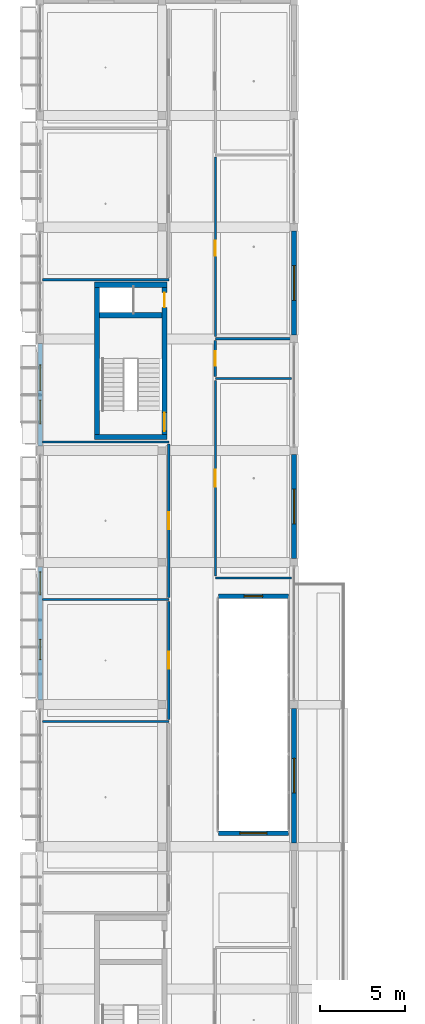
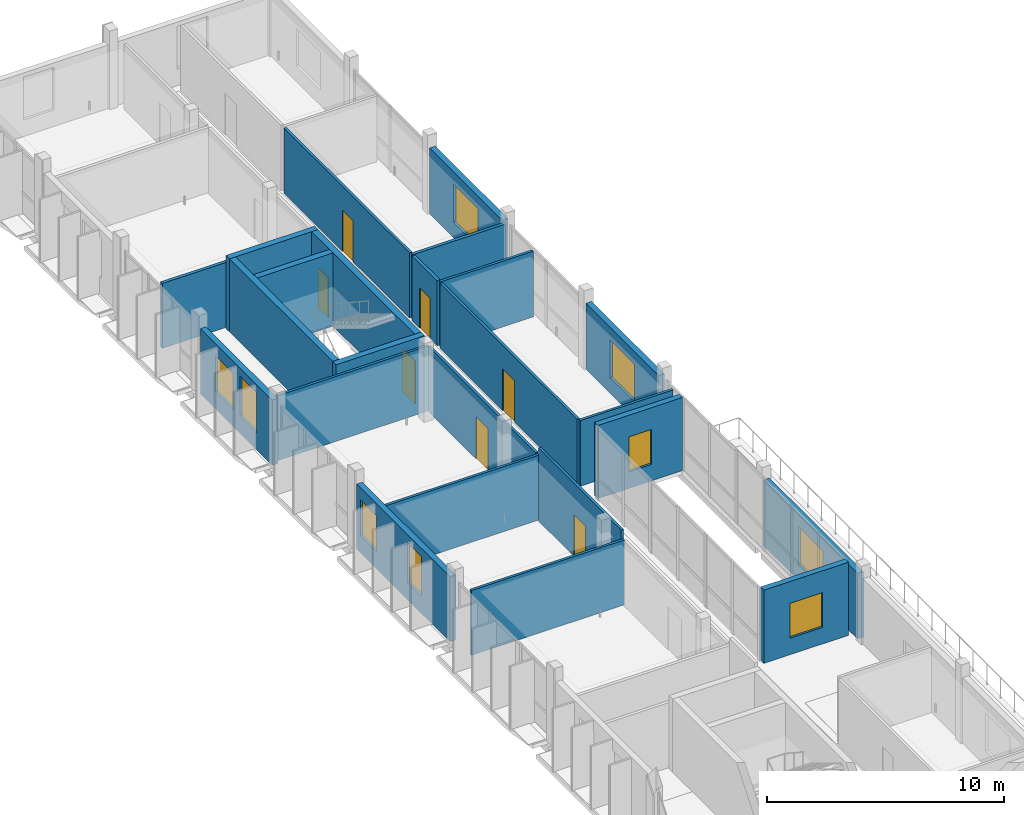
# One storey, part 24 of 48: 24 walls, 9 windows, 7 doors, 16 openings.
"""IFC4 building model written with IfcOpenShell, lengths in metres."""

from ifc_helpers import new_model, si_unit, derived_unit, direction, frame, frame_2d, origin, origin_with_axes, place, context, subcontext, project, spatial, rectangle, extrude, material, layer, layer_set, type_object, element, fill, save


model = new_model("IFC4")

# Units and contexts
model_context = context("Model", 3, precision=1e-05, world=origin(), true_north=direction((0.0, 1.0)))
body_context = subcontext(model_context, "Body", "Model", "MODEL_VIEW")
ifc_project = project(units=[si_unit("LENGTHUNIT", "METRE"), si_unit("AREAUNIT", "SQUARE_METRE"), si_unit("VOLUMEUNIT", "CUBIC_METRE"), si_unit("PLANEANGLEUNIT", "RADIAN"), si_unit("MASSUNIT", "GRAM", prefix="KILO"), derived_unit("THERMALTRANSMITTANCEUNIT", [(si_unit("POWERUNIT", "WATT"), 1), (si_unit("LENGTHUNIT", "METRE"), -2), (si_unit("THERMODYNAMICTEMPERATUREUNIT", "KELVIN"), -1)])], contexts=[model_context])

# Site, building, storey
site_placement = place(None, origin())
site = spatial("IfcSite", under=ifc_project, at=site_placement, CompositionType="ELEMENT")
building_placement = place(site_placement, origin())
building = spatial("IfcBuilding", under=site, at=building_placement, Name="Braskholm Square Health Centre", CompositionType="ELEMENT")
storey_placement = place(building_placement, frame((0.0, 0.0, 17.550048828125)))
storey = spatial("IfcBuildingStorey", under=building, at=storey_placement, Name="L05", CompositionType="ELEMENT", Elevation=17.550048828125)

# Wall
ifc_material_1 = material(Name="Acoustic gypsum board partition")
ifc_layer_1 = layer(ifc_material_1, 0.125)
ifc_layer_set_1 = layer_set([ifc_layer_1], Name="Acoustic gypsum board partition")
wall_type_1 = type_object("IfcWallType", Name="ClinicalExamPartition125", PredefinedType="PARTITIONING", material=ifc_layer_set_1)
wall_1_placement = place(storey_placement, frame((4.340087890625, 71.199951171875, 0.0), z_axis=(0.0, 0.0, 1.0), x_axis=(1.0, 0.0, 0.0)))
element("IfcWall", 1, at=wall_1_placement, inside=storey, type_object=wall_type_1, Name="Interior partition PWALL-L05-0218", PredefinedType="PARTITIONING", context=body_context, shape_type="SweptSolid", body=[
    extrude(rectangle(XDim=7.4599609375, YDim=0.125, at=frame_2d((3.72998046875, 0.0))), origin(), (0.0, 0.0, 1.0), 3.344970703125),
])

# Wall, opening, door
wall_2_placement = place(storey_placement, frame((11.800048828125, 71.320068359375, 0.0), z_axis=(0.0, 0.0, 1.0), x_axis=(0.0, 1.0, 0.0)))
wall_2 = element("IfcWall", 2, at=wall_2_placement, inside=storey, type_object=wall_type_1, Name="Interior partition PWALL-L05-0219", PredefinedType="PARTITIONING", context=body_context, shape_type="SweptSolid", body=[
    extrude(rectangle(XDim=6.969970703125, YDim=0.125, at=frame_2d((3.48486328125, 0.0))), origin(), (0.0, 0.0, 1.0), 3.764892578125),
])
opening_1_placement = place(wall_2_placement, frame((2.985107421875, 0.0, 0.0)))
opening_1 = element("IfcOpeningElement", 3, at=opening_1_placement, cuts=wall_2, Name="Opening D-02", PredefinedType="OPENING", context=body_context, shape_type="SweptSolid", body=[
    extrude(rectangle(XDim=1.0, YDim=2.14990234375, at=frame_2d((0.5, 1.074951171875))), frame((0.0, 0.072509765625, 0.0), z_axis=(0.0, -1.0, 0.0), x_axis=(1.0, 0.0, 0.0)), (0.0, 0.0, 1.0), 0.14501953125),
])
ifc_material_2 = material(Name="Architectural bronze anodised aluminium", Category="aluminium")
door_type_1 = type_object("IfcDoorType", Name="DoorExamSingle1000x2150", OperationType="NOTDEFINED", PredefinedType="DOOR", material=ifc_material_2)
door_1_placement = place(opening_1_placement, origin_with_axes())
door_1 = element("IfcDoor", 4, at=door_1_placement, inside=storey, type_object=door_type_1, Name="Interior door 0101 L05", OperationType="SINGLE_SWING_LEFT", OverallHeight=2.14990234375, OverallWidth=1.0, PredefinedType="DOOR", context=body_context, shape_type="SweptSolid", body=[
    extrude(rectangle(XDim=1.0, YDim=2.14990234375, at=frame_2d((0.5, 1.074951171875))), frame((0.0, 0.02490234375, 0.0), z_axis=(0.0, -1.0, 0.0), x_axis=(1.0, 0.0, 0.0)), (0.0, 0.0, 1.0), 0.050048828125),
])
fill(opening_1, door_1)

# Wall
wall_3_placement = place(storey_placement, frame((4.340087890625, 78.409912109375, 0.0), z_axis=(0.0, 0.0, 1.0), x_axis=(1.0, 0.0, 0.0)))
element("IfcWall", 5, at=wall_3_placement, inside=storey, type_object=wall_type_1, Name="Interior partition PWALL-L05-0220", PredefinedType="PARTITIONING", context=body_context, shape_type="SweptSolid", body=[
    extrude(rectangle(XDim=7.4599609375, YDim=0.125, at=frame_2d((3.72998046875, 0.0))), origin(), (0.0, 0.0, 1.0), 3.344970703125),
])

# Wall, opening, door
wall_4_placement = place(storey_placement, frame((11.800048828125, 78.530029296875, 0.0), z_axis=(0.0, 0.0, 1.0), x_axis=(0.0, 1.0, 0.0)))
wall_4 = element("IfcWall", 6, at=wall_4_placement, inside=storey, type_object=wall_type_1, Name="Interior partition PWALL-L05-0221", PredefinedType="PARTITIONING", context=body_context, shape_type="SweptSolid", body=[
    extrude(rectangle(XDim=9.050048828125, YDim=0.125, at=frame_2d((4.52490234375, 0.0))), origin(), (0.0, 0.0, 1.0), 3.364990234375),
])
opening_2_placement = place(wall_4_placement, frame((4.014892578125, 0.0, 0.0)))
opening_2 = element("IfcOpeningElement", 7, at=opening_2_placement, cuts=wall_4, Name="Opening D-25", PredefinedType="OPENING", context=body_context, shape_type="SweptSolid", body=[
    extrude(rectangle(XDim=1.02001953125, YDim=2.179931640625, at=frame_2d((0.510009765625, 1.08984375))), frame((0.0, 0.072509765625, 0.0), z_axis=(0.0, -1.0, 0.0), x_axis=(1.0, 0.0, 0.0)), (0.0, 0.0, 1.0), 0.14501953125),
])
door_type_2 = type_object("IfcDoorType", Name="DoorConsultWide1020x2180", OperationType="NOTDEFINED", PredefinedType="DOOR", material=ifc_material_2)
door_2_placement = place(opening_2_placement, origin_with_axes())
door_2 = element("IfcDoor", 8, at=door_2_placement, inside=storey, type_object=door_type_2, Name="Interior door 0102 L05", OperationType="SINGLE_SWING_RIGHT", OverallHeight=2.179931640625, OverallWidth=1.02001953125, PredefinedType="DOOR", context=body_context, shape_type="SweptSolid", body=[
    extrude(rectangle(XDim=1.02001953125, YDim=2.179931640625, at=frame_2d((0.510009765625, 1.08984375))), frame((0.0, 0.02490234375, 0.0), z_axis=(0.0, -1.0, 0.0), x_axis=(1.0, 0.0, 0.0)), (0.0, 0.0, 1.0), 0.050048828125),
])
fill(opening_2, door_2)

# Wall
wall_5_placement = place(storey_placement, frame((4.340087890625, 87.699951171875, 0.0), z_axis=(0.0, 0.0, 1.0), x_axis=(1.0, 0.0, 0.0)))
element("IfcWall", 9, at=wall_5_placement, inside=storey, type_object=wall_type_1, Name="Interior partition PWALL-L05-0222", PredefinedType="PARTITIONING", context=body_context, shape_type="SweptSolid", body=[
    extrude(rectangle(XDim=7.4599609375, YDim=0.125, at=frame_2d((3.72998046875, 0.0))), origin(), (0.0, 0.0, 1.0), 3.344970703125),
])

# Wall, opening, door
wall_6_placement = place(storey_placement, frame((14.550048828125, 79.800048828125, 0.0), z_axis=(0.0, 0.0, 1.0), x_axis=(0.0, 1.0, 0.0)))
wall_6 = element("IfcWall", 10, at=wall_6_placement, inside=storey, type_object=wall_type_1, Name="Interior partition PWALL-L05-0236", PredefinedType="PARTITIONING", context=body_context, shape_type="SweptSolid", body=[
    extrude(rectangle(XDim=11.550048828125, YDim=0.125, at=frame_2d((5.77490234375, 0.0))), origin(), (0.0, 0.0, 1.0), 3.364990234375),
])
opening_3_placement = place(wall_6_placement, frame((5.27490234375, 0.0, 0.0)))
opening_3 = element("IfcOpeningElement", 11, at=opening_3_placement, cuts=wall_6, Name="Opening D-02", PredefinedType="OPENING", context=body_context, shape_type="SweptSolid", body=[
    extrude(rectangle(XDim=1.0, YDim=2.14990234375, at=frame_2d((0.5, 1.074951171875))), frame((0.0, 0.072509765625, 0.0), z_axis=(0.0, -1.0, 0.0), x_axis=(1.0, 0.0, 0.0)), (0.0, 0.0, 1.0), 0.14501953125),
])
door_3_placement = place(opening_3_placement, frame((1.0, 0.0, 0.0), z_axis=(0.0, 0.0, 1.0), x_axis=(-1.0, 0.0, 0.0)))
door_3 = element("IfcDoor", 12, at=door_3_placement, inside=storey, type_object=door_type_1, Name="Interior door 0109 L05", OperationType="SINGLE_SWING_LEFT", OverallHeight=2.14990234375, OverallWidth=1.0, PredefinedType="DOOR", context=body_context, shape_type="SweptSolid", body=[
    extrude(rectangle(XDim=1.0, YDim=2.14990234375, at=frame_2d((0.5, 1.074951171875))), frame((0.0, 0.02490234375, 0.0), z_axis=(0.0, -1.0, 0.0), x_axis=(1.0, 0.0, 0.0)), (0.0, 0.0, 1.0), 0.050048828125),
])
fill(opening_3, door_3)

# Walls
for number, where, z_axis, x_axis, name in (
    (13, (14.550048828125, 79.679931640625, 0.0), (0.0, 0.0, 1.0), (1.0, 0.0, 0.0), "Interior partition PWALL-L05-0237"),
    (14, (14.550048828125, 91.469970703125, 0.0), (0.0, 0.0, 1.0), (1.0, 0.0, 0.0), "Interior partition PWALL-L05-0238"),
):
    element("IfcWall", number, at=place(storey_placement, frame(where, z_axis=z_axis, x_axis=x_axis)), inside=storey, type_object=wall_type_1, Name=name, PredefinedType="PARTITIONING", context=body_context, shape_type="SweptSolid", body=[
        extrude(rectangle(XDim=4.510009765625, YDim=0.125, at=frame_2d((2.2548828125, 0.0))), origin(), (0.0, 0.0, 1.0), 3.385009765625),
    ])

# Wall, opening, door
wall_7_placement = place(storey_placement, frame((14.550048828125, 93.93994140625, 0.0), z_axis=(0.0, 0.0, 1.0), x_axis=(0.0, 1.0, 0.0)))
wall_7 = element("IfcWall", 15, at=wall_7_placement, inside=storey, type_object=wall_type_1, Name="Interior partition PWALL-L05-0241", PredefinedType="PARTITIONING", context=body_context, shape_type="SweptSolid", body=[
    extrude(rectangle(XDim=10.60009765625, YDim=0.125, at=frame_2d((5.300048828125, 0.0))), origin(), (0.0, 0.0, 1.0), 3.364990234375),
])
opening_4_placement = place(wall_7_placement, frame((4.77490234375, 0.0, 0.0)))
opening_4 = element("IfcOpeningElement", 16, at=opening_4_placement, cuts=wall_7, Name="Opening D-07", PredefinedType="OPENING", context=body_context, shape_type="SweptSolid", body=[
    extrude(rectangle(XDim=0.89990234375, YDim=2.1201171875, at=frame_2d((0.449951171875, 1.06005859375))), frame((0.0, 0.072509765625, 0.0), z_axis=(0.0, -1.0, 0.0), x_axis=(1.0, 0.0, 0.0)), (0.0, 0.0, 1.0), 0.14501953125),
])
door_type_3 = type_object("IfcDoorType", Name="DoorProviderOffice900x2120", OperationType="NOTDEFINED", PredefinedType="DOOR", material=ifc_material_2)
door_4_placement = place(opening_4_placement, frame((0.89990234375, 0.0, 0.0), z_axis=(0.0, 0.0, 1.0), x_axis=(-1.0, 0.0, 0.0)))
door_4 = element("IfcDoor", 17, at=door_4_placement, inside=storey, type_object=door_type_3, Name="Interior door 0111 L05", OperationType="SINGLE_SWING_LEFT", OverallHeight=2.1201171875, OverallWidth=0.89990234375, PredefinedType="DOOR", context=body_context, shape_type="SweptSolid", body=[
    extrude(rectangle(XDim=0.89990234375, YDim=2.1201171875, at=frame_2d((0.449951171875, 1.06005859375))), frame((0.0, 0.02490234375, 0.0), z_axis=(0.0, -1.0, 0.0), x_axis=(1.0, 0.0, 0.0)), (0.0, 0.0, 1.0), 0.050048828125),
])
fill(opening_4, door_4)

# Wall
ifc_layer_2 = layer(ifc_material_1, 0.14990234375)
ifc_layer_set_2 = layer_set([ifc_layer_2], Name="Acoustic gypsum board partition")
wall_type_2 = type_object("IfcWallType", Name="CorridorAcousticPartition150", PredefinedType="PARTITIONING", material=ifc_layer_set_2)
wall_8_placement = place(storey_placement, frame((4.340087890625, 97.300048828125, 0.0), z_axis=(0.0, 0.0, 1.0), x_axis=(1.0, 0.0, 0.0)))
element("IfcWall", 18, at=wall_8_placement, inside=storey, type_object=wall_type_2, Name="Interior partition PWALL-L05-0225", PredefinedType="PARTITIONING", context=body_context, shape_type="SweptSolid", body=[
    extrude(rectangle(XDim=7.4599609375, YDim=0.14990234375, at=frame_2d((3.72998046875, 0.0))), origin(), (0.0, 0.0, 1.0), 3.344970703125),
])

# Wall, opening, door
wall_9_placement = place(storey_placement, frame((14.550048828125, 91.590087890625, 0.0), z_axis=(0.0, 0.0, 1.0), x_axis=(0.0, 1.0, 0.0)))
wall_9 = element("IfcWall", 19, at=wall_9_placement, inside=storey, type_object=wall_type_2, Name="Interior partition PWALL-L05-0239", PredefinedType="PARTITIONING", context=body_context, shape_type="SweptSolid", body=[
    extrude(rectangle(XDim=2.10986328125, YDim=0.14990234375, at=frame_2d((1.054931640625, 0.0))), origin(), (0.0, 0.0, 1.0), 3.364990234375),
])
opening_5_placement = place(wall_9_placement, frame((0.614990234375, 0.0, 0.0)))
opening_5 = element("IfcOpeningElement", 20, at=opening_5_placement, cuts=wall_9, Name="Opening D-06", PredefinedType="OPENING", context=body_context, shape_type="SweptSolid", body=[
    extrude(rectangle(XDim=0.8798828125, YDim=2.10009765625, at=frame_2d((0.43994140625, 1.050048828125))), frame((0.0, 0.0849609375, 0.0), z_axis=(0.0, -1.0, 0.0), x_axis=(1.0, 0.0, 0.0)), (0.0, 0.0, 1.0), 0.169921875),
])
door_type_4 = type_object("IfcDoorType", Name="DoorStaffWC880x2100", OperationType="NOTDEFINED", PredefinedType="DOOR", material=ifc_material_2)
door_5_placement = place(opening_5_placement, frame((0.8798828125, 0.0, 0.0), z_axis=(0.0, 0.0, 1.0), x_axis=(-1.0, 0.0, 0.0)))
door_5 = element("IfcDoor", 21, at=door_5_placement, inside=storey, type_object=door_type_4, Name="Interior door 0110 L05", OperationType="SINGLE_SWING_RIGHT", OverallHeight=2.10009765625, OverallWidth=0.8798828125, PredefinedType="DOOR", context=body_context, shape_type="SweptSolid", body=[
    extrude(rectangle(XDim=0.8798828125, YDim=2.10009765625, at=frame_2d((0.43994140625, 1.050048828125))), frame((0.0, 0.02490234375, 0.0), z_axis=(0.0, -1.0, 0.0), x_axis=(1.0, 0.0, 0.0)), (0.0, 0.0, 1.0), 0.050048828125),
])
fill(opening_5, door_5)

# Wall
wall_10_placement = place(storey_placement, frame((14.550048828125, 93.820068359375, 0.0), z_axis=(0.0, 0.0, 1.0), x_axis=(1.0, 0.0, 0.0)))
element("IfcWall", 22, at=wall_10_placement, inside=storey, type_object=wall_type_2, Name="Interior partition PWALL-L05-0240", PredefinedType="PARTITIONING", context=body_context, shape_type="SweptSolid", body=[
    extrude(rectangle(XDim=4.510009765625, YDim=0.14990234375, at=frame_2d((2.2548828125, 0.0))), origin(), (0.0, 0.0, 1.0), 3.364990234375),
])

# Wall, openings, windows
ifc_material_3 = material(Name="Precast concrete C40/50 architectural white", Category="concrete")
ifc_layer_3 = layer(ifc_material_3, 0.280029296875)
ifc_layer_set_3 = layer_set([ifc_layer_3], Name="Precast concrete C40/50 architectural white")
wall_type_3 = type_object("IfcWallType", Name="ExteriorPrecastSpandrelWall280", PredefinedType="SOLIDWALL", material=ifc_layer_set_3)
wall_11_placement = place(storey_placement, frame((4.199951171875, 80.337890625, 0.0), z_axis=(0.0, 0.0, 1.0), x_axis=(0.0, -1.0, 0.0)))
wall_11 = element("IfcWall", 23, at=wall_11_placement, inside=storey, type_object=wall_type_3, Name="Exterior wall EWALL-L05-0041", PredefinedType="SOLIDWALL", context=body_context, shape_type="SweptSolid", body=[
    extrude(rectangle(XDim=7.8759765625, YDim=0.280029296875, at=frame_2d((3.93798828125, 0.0))), origin(), (0.0, 0.0, 1.0), 3.349853515625),
])
opening_6_placement = place(wall_11_placement, frame((0.306884765625, 0.0, 0.8798828125)))
opening_6 = element("IfcOpeningElement", 24, at=opening_6_placement, cuts=wall_11, Name="Opening WN-08", PredefinedType="OPENING", context=body_context, shape_type="SweptSolid", body=[
    extrude(rectangle(XDim=1.35009765625, YDim=1.85009765625, at=frame_2d((0.675048828125, 0.925048828125))), frame((0.0, 0.14990234375, 0.0), z_axis=(0.0, -1.0, 0.0), x_axis=(1.0, 0.0, 0.0)), (0.0, 0.0, 1.0), 0.300048828125),
])
opening_7_placement = place(wall_11_placement, frame((4.282958984375, 0.0, 0.8798828125)))
opening_7 = element("IfcOpeningElement", 25, at=opening_7_placement, cuts=wall_11, Name="Opening WN-13", PredefinedType="OPENING", context=body_context, shape_type="SweptSolid", body=[
    extrude(rectangle(XDim=1.199951171875, YDim=2.050048828125, at=frame_2d((0.60009765625, 1.02490234375))), frame((0.0, 0.14990234375, 0.0), z_axis=(0.0, -1.0, 0.0), x_axis=(1.0, 0.0, 0.0)), (0.0, 0.0, 1.0), 0.300048828125),
])
ifc_material_4 = material(Name="Low-E triple insulating glass (VLT 0.64)", Category="glass")
window_type_1 = type_object("IfcWindowType", Name="WinClinicalBay1350x1850", PartitioningType="SINGLE_PANEL", PredefinedType="WINDOW", material=ifc_material_4)
window_1_placement = place(opening_6_placement, origin_with_axes())
window_1 = element("IfcWindow", 26, at=window_1_placement, inside=storey, type_object=window_type_1, Name="Exterior window 0077 L05", OverallHeight=1.85009765625, OverallWidth=1.35009765625, PartitioningType="SINGLE_PANEL", PredefinedType="WINDOW", context=body_context, shape_type="SweptSolid", body=[
    extrude(rectangle(XDim=1.35009765625, YDim=1.85009765625, at=frame_2d((0.675048828125, 0.925048828125))), frame((0.0, 0.030029296875, 0.0), z_axis=(0.0, -1.0, 0.0), x_axis=(1.0, 0.0, 0.0)), (0.0, 0.0, 1.0), 0.06005859375),
])
fill(opening_6, window_1)
window_type_2 = type_object("IfcWindowType", Name="WinClinicalTall1200x2050", PartitioningType="SINGLE_PANEL", PredefinedType="WINDOW", material=ifc_material_4)
window_2_placement = place(opening_7_placement, origin_with_axes())
window_2 = element("IfcWindow", 27, at=window_2_placement, inside=storey, type_object=window_type_2, Name="Exterior window 0078 L05", OverallHeight=2.050048828125, OverallWidth=1.199951171875, PartitioningType="SINGLE_PANEL", PredefinedType="WINDOW", context=body_context, shape_type="SweptSolid", body=[
    extrude(rectangle(XDim=1.199951171875, YDim=2.050048828125, at=frame_2d((0.60009765625, 1.02490234375))), frame((0.0, 0.030029296875, 0.0), z_axis=(0.0, -1.0, 0.0), x_axis=(1.0, 0.0, 0.0)), (0.0, 0.0, 1.0), 0.06005859375),
])
fill(opening_7, window_2)

wall_12_placement = place(storey_placement, frame((4.199951171875, 93.5380859375, 0.0), z_axis=(0.0, 0.0, 1.0), x_axis=(0.0, -1.0, 0.0)))
wall_12 = element("IfcWall", 28, at=wall_12_placement, inside=storey, type_object=wall_type_3, Name="Exterior wall EWALL-L05-0042", PredefinedType="SOLIDWALL", context=body_context, shape_type="SweptSolid", body=[
    extrude(rectangle(XDim=6.076171875, YDim=0.280029296875, at=frame_2d((3.0380859375, 0.0))), origin(), (0.0, 0.0, 1.0), 3.349853515625),
])
opening_8_placement = place(wall_12_placement, frame((1.27490234375, 0.0, 0.8798828125)))
opening_8 = element("IfcOpeningElement", 29, at=opening_8_placement, cuts=wall_12, Name="Opening WN-09", PredefinedType="OPENING", context=body_context, shape_type="SweptSolid", body=[
    extrude(rectangle(XDim=1.5, YDim=1.85009765625, at=frame_2d((0.75, 0.925048828125))), frame((0.0, 0.14990234375, 0.0), z_axis=(0.0, -1.0, 0.0), x_axis=(1.0, 0.0, 0.0)), (0.0, 0.0, 1.0), 0.300048828125),
])
opening_9_placement = place(wall_12_placement, frame((3.35107421875, 0.0, 0.8798828125)))
opening_9 = element("IfcOpeningElement", 30, at=opening_9_placement, cuts=wall_12, Name="Opening WN-14", PredefinedType="OPENING", context=body_context, shape_type="SweptSolid", body=[
    extrude(rectangle(XDim=1.39990234375, YDim=2.050048828125, at=frame_2d((0.699951171875, 1.02490234375))), frame((0.0, 0.14990234375, 0.0), z_axis=(0.0, -1.0, 0.0), x_axis=(1.0, 0.0, 0.0)), (0.0, 0.0, 1.0), 0.300048828125),
])
window_type_3 = type_object("IfcWindowType", Name="WinClinicalBay1500x1850", PartitioningType="SINGLE_PANEL", PredefinedType="WINDOW", material=ifc_material_4)
window_3_placement = place(opening_8_placement, origin_with_axes())
window_3 = element("IfcWindow", 31, at=window_3_placement, inside=storey, type_object=window_type_3, Name="Exterior window 0079 L05", OverallHeight=1.85009765625, OverallWidth=1.5, PartitioningType="SINGLE_PANEL", PredefinedType="WINDOW", context=body_context, shape_type="SweptSolid", body=[
    extrude(rectangle(XDim=1.5, YDim=1.85009765625, at=frame_2d((0.75, 0.925048828125))), frame((0.0, 0.030029296875, 0.0), z_axis=(0.0, -1.0, 0.0), x_axis=(1.0, 0.0, 0.0)), (0.0, 0.0, 1.0), 0.06005859375),
])
fill(opening_8, window_3)
window_type_4 = type_object("IfcWindowType", Name="WinClinicalTall1400x2050", PartitioningType="SINGLE_PANEL", PredefinedType="WINDOW", material=ifc_material_4)
window_4_placement = place(opening_9_placement, origin_with_axes())
window_4 = element("IfcWindow", 32, at=window_4_placement, inside=storey, type_object=window_type_4, Name="Exterior window 0080 L05", OverallHeight=2.050048828125, OverallWidth=1.39990234375, PartitioningType="SINGLE_PANEL", PredefinedType="WINDOW", context=body_context, shape_type="SweptSolid", body=[
    extrude(rectangle(XDim=1.39990234375, YDim=2.050048828125, at=frame_2d((0.699951171875, 1.02490234375))), frame((0.0, 0.030029296875, 0.0), z_axis=(0.0, -1.0, 0.0), x_axis=(1.0, 0.0, 0.0)), (0.0, 0.0, 1.0), 0.06005859375),
])
fill(opening_9, window_4)

# Wall, opening, window
wall_13_placement = place(storey_placement, frame((19.199951171875, 64.027099609375, 0.0), z_axis=(0.0, 0.0, 1.0), x_axis=(0.0, 1.0, 0.0)))
wall_13 = element("IfcWall", 33, at=wall_13_placement, inside=storey, type_object=wall_type_3, Name="Exterior wall EWALL-L05-0145", PredefinedType="SOLIDWALL", context=body_context, shape_type="SweptSolid", body=[
    extrude(rectangle(XDim=7.94580078125, YDim=0.280029296875, at=frame_2d((3.972900390625, 0.0))), origin(), (0.0, 0.0, 1.0), 3.389892578125),
])
opening_10_placement = place(wall_13_placement, frame((2.947998046875, 0.0, 0.800048828125)))
opening_10 = element("IfcOpeningElement", 34, at=opening_10_placement, cuts=wall_13, Name="Opening WN-25", PredefinedType="OPENING", context=body_context, shape_type="SweptSolid", body=[
    extrude(rectangle(XDim=2.050048828125, YDim=1.949951171875, at=frame_2d((1.02490234375, 0.97509765625))), frame((0.0, 0.14990234375, 0.0), z_axis=(0.0, -1.0, 0.0), x_axis=(1.0, 0.0, 0.0)), (0.0, 0.0, 1.0), 0.300048828125),
])
window_type_5 = type_object("IfcWindowType", Name="WinValleyTerrace2050x1950", PartitioningType="SINGLE_PANEL", PredefinedType="WINDOW", material=ifc_material_4)
window_5_placement = place(opening_10_placement, origin_with_axes())
window_5 = element("IfcWindow", 35, at=window_5_placement, inside=storey, type_object=window_type_5, Name="Exterior window 0204 L05", OverallHeight=1.949951171875, OverallWidth=2.050048828125, PartitioningType="SINGLE_PANEL", PredefinedType="WINDOW", context=body_context, shape_type="SweptSolid", body=[
    extrude(rectangle(XDim=2.050048828125, YDim=1.949951171875, at=frame_2d((1.02490234375, 0.97509765625))), frame((0.0, 0.030029296875, 0.0), z_axis=(0.0, -1.0, 0.0), x_axis=(1.0, 0.0, 0.0)), (0.0, 0.0, 1.0), 0.06005859375),
])
fill(opening_10, window_5)

wall_14_placement = place(storey_placement, frame((19.199951171875, 80.826904296875, 0.0), z_axis=(0.0, 0.0, 1.0), x_axis=(0.0, 1.0, 0.0)))
wall_14 = element("IfcWall", 36, at=wall_14_placement, inside=storey, type_object=wall_type_3, Name="Exterior wall EWALL-L05-0146", PredefinedType="SOLIDWALL", context=body_context, shape_type="SweptSolid", body=[
    extrude(rectangle(XDim=6.14599609375, YDim=0.280029296875, at=frame_2d((3.072998046875, 0.0))), origin(), (0.0, 0.0, 1.0), 3.389892578125),
])
opening_11_placement = place(wall_14_placement, frame((2.048095703125, 0.0, 0.800048828125)))
opening_11 = element("IfcOpeningElement", 37, at=opening_11_placement, cuts=wall_14, Name="Opening WN-25", PredefinedType="OPENING", context=body_context, shape_type="SweptSolid", body=[
    extrude(rectangle(XDim=2.050048828125, YDim=1.949951171875, at=frame_2d((1.02490234375, 0.97509765625))), frame((0.0, 0.14990234375, 0.0), z_axis=(0.0, -1.0, 0.0), x_axis=(1.0, 0.0, 0.0)), (0.0, 0.0, 1.0), 0.300048828125),
])
window_6_placement = place(opening_11_placement, origin_with_axes())
window_6 = element("IfcWindow", 38, at=window_6_placement, inside=storey, type_object=window_type_5, Name="Exterior window 0205 L05", OverallHeight=1.949951171875, OverallWidth=2.050048828125, PartitioningType="SINGLE_PANEL", PredefinedType="WINDOW", context=body_context, shape_type="SweptSolid", body=[
    extrude(rectangle(XDim=2.050048828125, YDim=1.949951171875, at=frame_2d((1.02490234375, 0.97509765625))), frame((0.0, 0.030029296875, 0.0), z_axis=(0.0, -1.0, 0.0), x_axis=(1.0, 0.0, 0.0)), (0.0, 0.0, 1.0), 0.06005859375),
])
fill(opening_11, window_6)

wall_15_placement = place(storey_placement, frame((19.199951171875, 94.027099609375, 0.0), z_axis=(0.0, 0.0, 1.0), x_axis=(0.0, 1.0, 0.0)))
wall_15 = element("IfcWall", 39, at=wall_15_placement, inside=storey, type_object=wall_type_3, Name="Exterior wall EWALL-L05-0147", PredefinedType="SOLIDWALL", context=body_context, shape_type="SweptSolid", body=[
    extrude(rectangle(XDim=6.14599609375, YDim=0.280029296875, at=frame_2d((3.072998046875, 0.0))), origin(), (0.0, 0.0, 1.0), 3.389892578125),
])
opening_12_placement = place(wall_15_placement, frame((2.048095703125, 0.0, 0.800048828125)))
opening_12 = element("IfcOpeningElement", 40, at=opening_12_placement, cuts=wall_15, Name="Opening WN-25", PredefinedType="OPENING", context=body_context, shape_type="SweptSolid", body=[
    extrude(rectangle(XDim=2.050048828125, YDim=1.949951171875, at=frame_2d((1.02490234375, 0.97509765625))), frame((0.0, 0.14990234375, 0.0), z_axis=(0.0, -1.0, 0.0), x_axis=(1.0, 0.0, 0.0)), (0.0, 0.0, 1.0), 0.300048828125),
])
window_7_placement = place(opening_12_placement, origin_with_axes())
window_7 = element("IfcWindow", 41, at=window_7_placement, inside=storey, type_object=window_type_5, Name="Exterior window 0206 L05", OverallHeight=1.949951171875, OverallWidth=2.050048828125, PartitioningType="SINGLE_PANEL", PredefinedType="WINDOW", context=body_context, shape_type="SweptSolid", body=[
    extrude(rectangle(XDim=2.050048828125, YDim=1.949951171875, at=frame_2d((1.02490234375, 0.97509765625))), frame((0.0, 0.030029296875, 0.0), z_axis=(0.0, -1.0, 0.0), x_axis=(1.0, 0.0, 0.0)), (0.0, 0.0, 1.0), 0.06005859375),
])
fill(opening_12, window_7)

wall_16_placement = place(storey_placement, frame((18.865966796875, 64.60009765625, 0.0), z_axis=(0.0, 0.0, 1.0), x_axis=(-1.0, 0.0, 0.0)))
wall_16 = element("IfcWall", 42, at=wall_16_placement, inside=storey, type_object=wall_type_3, Name="Exterior wall EWALL-L05-0303", PredefinedType="SOLIDWALL", context=body_context, shape_type="SweptSolid", body=[
    extrude(rectangle(XDim=4.132080078125, YDim=0.280029296875, at=frame_2d((2.06591796875, 0.0))), origin(), (0.0, 0.0, 1.0), 3.77001953125),
])
opening_13_placement = place(wall_16_placement, frame((1.26611328125, 0.0, 0.85009765625)))
opening_13 = element("IfcOpeningElement", 43, at=opening_13_placement, cuts=wall_16, Name="Opening WN-27", PredefinedType="OPENING", context=body_context, shape_type="SweptSolid", body=[
    extrude(rectangle(XDim=1.60009765625, YDim=1.800048828125, at=frame_2d((0.800048828125, 0.89990234375))), frame((0.0, 0.14990234375, 0.0), z_axis=(0.0, -1.0, 0.0), x_axis=(1.0, 0.0, 0.0)), (0.0, 0.0, 1.0), 0.300048828125),
])
window_type_6 = type_object("IfcWindowType", Name="WinLightCourt1600x1800", PartitioningType="SINGLE_PANEL", PredefinedType="WINDOW", material=ifc_material_4)
window_8_placement = place(opening_13_placement, origin_with_axes())
window_8 = element("IfcWindow", 44, at=window_8_placement, inside=storey, type_object=window_type_6, Name="Exterior window 0349 L05", OverallHeight=1.800048828125, OverallWidth=1.60009765625, PartitioningType="SINGLE_PANEL", PredefinedType="WINDOW", context=body_context, shape_type="SweptSolid", body=[
    extrude(rectangle(XDim=1.60009765625, YDim=1.800048828125, at=frame_2d((0.800048828125, 0.89990234375))), frame((0.0, 0.030029296875, 0.0), z_axis=(0.0, -1.0, 0.0), x_axis=(1.0, 0.0, 0.0)), (0.0, 0.0, 1.0), 0.06005859375),
])
fill(opening_13, window_8)

wall_17_placement = place(storey_placement, frame((14.73388671875, 78.60009765625, 0.0), z_axis=(0.0, 0.0, 1.0), x_axis=(1.0, 0.0, 0.0)))
wall_17 = element("IfcWall", 45, at=wall_17_placement, inside=storey, type_object=wall_type_3, Name="Exterior wall EWALL-L05-0304", PredefinedType="SOLIDWALL", context=body_context, shape_type="SweptSolid", body=[
    extrude(rectangle(XDim=4.132080078125, YDim=0.280029296875, at=frame_2d((2.06591796875, 0.0))), origin(), (0.0, 0.0, 1.0), 3.77001953125),
])
opening_14_placement = place(wall_17_placement, frame((1.51611328125, 0.0, 0.85009765625)))
opening_14 = element("IfcOpeningElement", 46, at=opening_14_placement, cuts=wall_17, Name="Opening WN-26", PredefinedType="OPENING", context=body_context, shape_type="SweptSolid", body=[
    extrude(rectangle(XDim=1.10009765625, YDim=1.800048828125, at=frame_2d((0.550048828125, 0.89990234375))), frame((0.0, 0.14990234375, 0.0), z_axis=(0.0, -1.0, 0.0), x_axis=(1.0, 0.0, 0.0)), (0.0, 0.0, 1.0), 0.300048828125),
])
window_type_7 = type_object("IfcWindowType", Name="WinLightCourt1100x1800", PartitioningType="SINGLE_PANEL", PredefinedType="WINDOW", material=ifc_material_4)
window_9_placement = place(opening_14_placement, origin_with_axes())
window_9 = element("IfcWindow", 47, at=window_9_placement, inside=storey, type_object=window_type_7, Name="Exterior window 0350 L05", OverallHeight=1.800048828125, OverallWidth=1.10009765625, PartitioningType="SINGLE_PANEL", PredefinedType="WINDOW", context=body_context, shape_type="SweptSolid", body=[
    extrude(rectangle(XDim=1.10009765625, YDim=1.800048828125, at=frame_2d((0.550048828125, 0.89990234375))), frame((0.0, 0.030029296875, 0.0), z_axis=(0.0, -1.0, 0.0), x_axis=(1.0, 0.0, 0.0)), (0.0, 0.0, 1.0), 0.06005859375),
])
fill(opening_14, window_9)

# Walls
ifc_material_5 = material(Name="Concrete C40/50 (f'c = 40 MPa)", Category="concrete")
ifc_layer_4 = layer(ifc_material_5, 0.300048828125)
ifc_layer_set_4 = layer_set([ifc_layer_4], Name="Concrete C40/50 (f'c = 40 MPa)")
wall_type_4 = type_object("IfcWallType", Name="ShearCoreWall300", PredefinedType="SHEAR", material=ifc_layer_set_4)
for number, where, z_axis, x_axis, name in (
    (48, (7.39990234375, 88.0, 0.0), (0.0, 0.0, 1.0), (1.0, 0.0, 0.0), "CWALL-K3-L05 south wall"),
    (49, (11.699951171875, 97.0, 0.0), (0.0, 0.0, 1.0), (-1.0, 0.0, 0.0), "CWALL-K3-L05 north wall"),
):
    element("IfcWall", number, at=place(storey_placement, frame(where, z_axis=z_axis, x_axis=x_axis)), inside=storey, type_object=wall_type_4, Name=name, PredefinedType="SHEAR", context=body_context, shape_type="SweptSolid", body=[
        extrude(rectangle(XDim=4.300048828125, YDim=0.300048828125, at=frame_2d((2.14990234375, 0.0))), origin(), (0.0, 0.0, 1.0), 3.77001953125),
    ])
wall_18_placement = place(storey_placement, frame((7.550048828125, 96.85009765625, 0.0), z_axis=(0.0, 0.0, 1.0), x_axis=(0.0, -1.0, 0.0)))
element("IfcWall", 50, at=wall_18_placement, inside=storey, type_object=wall_type_4, Name="CWALL-K3-L05 west wall", PredefinedType="SHEAR", context=body_context, shape_type="SweptSolid", body=[
    extrude(rectangle(XDim=8.7001953125, YDim=0.300048828125, at=frame_2d((4.35009765625, 0.0))), origin(), (0.0, 0.0, 1.0), 3.77001953125),
])

# Wall, openings, doors
wall_19_placement = place(storey_placement, frame((11.550048828125, 88.14990234375, 0.0), z_axis=(0.0, 0.0, 1.0), x_axis=(0.0, 1.0, 0.0)))
wall_19 = element("IfcWall", 51, at=wall_19_placement, inside=storey, type_object=wall_type_4, Name="CWALL-K3-L05 east wall", PredefinedType="SHEAR", context=body_context, shape_type="SweptSolid", body=[
    extrude(rectangle(XDim=8.7001953125, YDim=0.300048828125, at=frame_2d((4.35009765625, 0.0))), origin(), (0.0, 0.0, 1.0), 3.77001953125),
])
opening_15_placement = place(wall_19_placement, frame((0.199951171875, 0.0, 0.0)))
opening_15 = element("IfcOpeningElement", 52, at=opening_15_placement, cuts=wall_19, Name="Opening D-22", PredefinedType="OPENING", context=body_context, shape_type="SweptSolid", body=[
    extrude(rectangle(XDim=1.10009765625, YDim=2.199951171875, at=frame_2d((0.550048828125, 1.10009765625))), frame((0.0, 0.16015625, 0.0), z_axis=(0.0, -1.0, 0.0), x_axis=(1.0, 0.0, 0.0)), (0.0, 0.0, 1.0), 0.320068359375),
])
opening_16_placement = place(wall_19_placement, frame((7.52001953125, 0.0, 0.0)))
opening_16 = element("IfcOpeningElement", 53, at=opening_16_placement, cuts=wall_19, Name="Opening D-24", PredefinedType="OPENING", context=body_context, shape_type="SweptSolid", body=[
    extrude(rectangle(XDim=0.860107421875, YDim=2.050048828125, at=frame_2d((0.43017578125, 1.02490234375))), frame((0.0, 0.16015625, 0.0), z_axis=(0.0, -1.0, 0.0), x_axis=(1.0, 0.0, 0.0)), (0.0, 0.0, 1.0), 0.320068359375),
])
door_type_5 = type_object("IfcDoorType", Name="DoorRiserShaft860x2050", OperationType="NOTDEFINED", PredefinedType="DOOR", material=ifc_material_2)
door_6_placement = place(opening_16_placement, origin_with_axes())
door_6 = element("IfcDoor", 54, at=door_6_placement, inside=storey, type_object=door_type_5, Name="Core K3 service riser fire door L05", OperationType="SINGLE_SWING_RIGHT", OverallHeight=2.050048828125, OverallWidth=0.860107421875, PredefinedType="DOOR", context=body_context, shape_type="SweptSolid", body=[
    extrude(rectangle(XDim=0.860107421875, YDim=2.050048828125, at=frame_2d((0.43017578125, 1.02490234375))), frame((0.0, 0.02490234375, 0.0), z_axis=(0.0, -1.0, 0.0), x_axis=(1.0, 0.0, 0.0)), (0.0, 0.0, 1.0), 0.050048828125),
])
fill(opening_16, door_6)
door_type_6 = type_object("IfcDoorType", Name="DoorStairEnclosure1100x2200", OperationType="NOTDEFINED", PredefinedType="DOOR", material=ifc_material_2)
door_7_placement = place(opening_15_placement, origin_with_axes())
door_7 = element("IfcDoor", 55, at=door_7_placement, inside=storey, type_object=door_type_6, Name="Stair ST-03 door L05", OperationType="SINGLE_SWING_LEFT", OverallHeight=2.199951171875, OverallWidth=1.10009765625, PredefinedType="DOOR", context=body_context, shape_type="SweptSolid", body=[
    extrude(rectangle(XDim=1.10009765625, YDim=2.199951171875, at=frame_2d((0.550048828125, 1.10009765625))), frame((0.0, 0.02490234375, 0.0), z_axis=(0.0, -1.0, 0.0), x_axis=(1.0, 0.0, 0.0)), (0.0, 0.0, 1.0), 0.050048828125),
])
fill(opening_15, door_7)

# Wall
wall_20_placement = place(storey_placement, frame((7.699951171875, 95.199951171875, 0.0), z_axis=(0.0, 0.0, 1.0), x_axis=(1.0, 0.0, 0.0)))
element("IfcWall", 56, at=wall_20_placement, inside=storey, type_object=wall_type_4, Name="Core K3 internal shear divider L05", PredefinedType="SHEAR", context=body_context, shape_type="SweptSolid", body=[
    extrude(rectangle(XDim=3.699951171875, YDim=0.300048828125, at=frame_2d((1.85009765625, 0.0))), origin(), (0.0, 0.0, 1.0), 3.77001953125),
])

save(model, "model.ifc")
